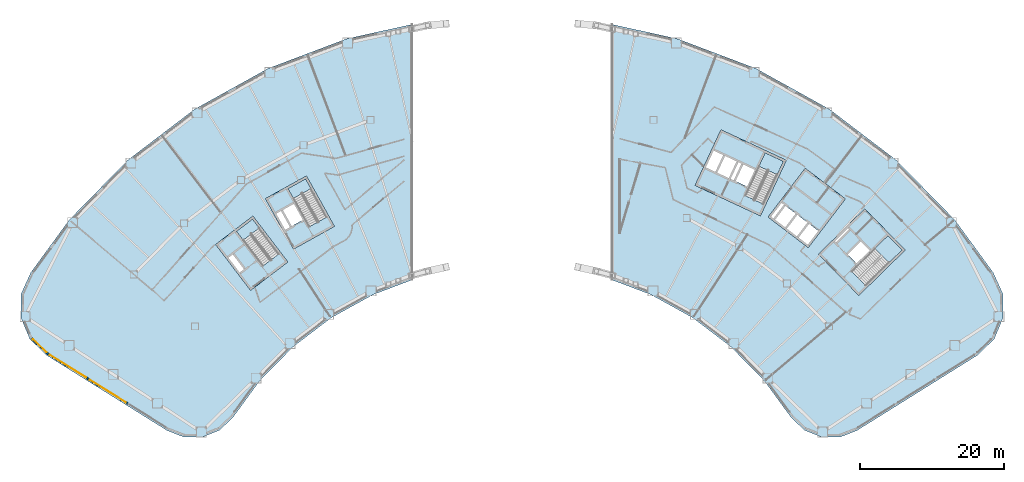
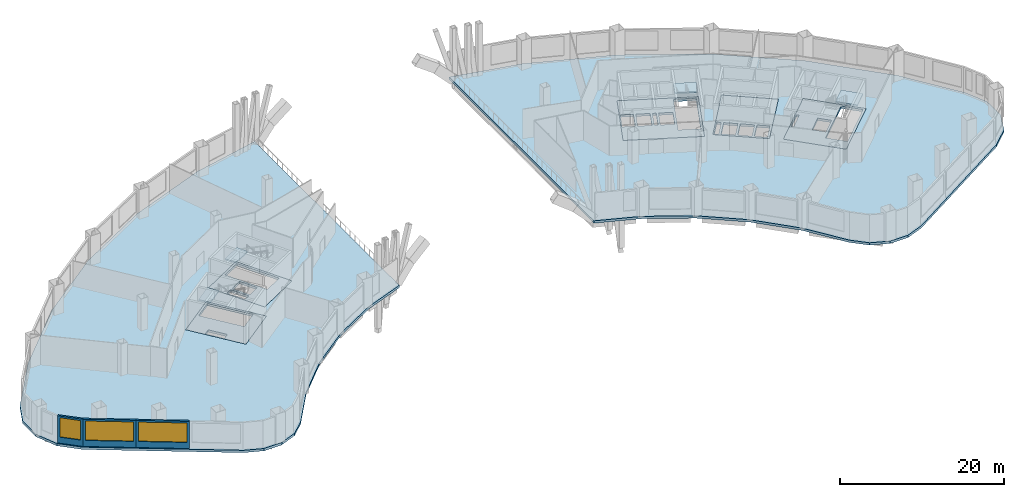
# One storey, part 5 of 14: 11 slabs, 3 walls, 3 windows, 3 openings, 4 elements without a shape of their own.
"""IFC4 building model written with IfcOpenShell, lengths in metres."""

from ifc_helpers import new_model, si_unit, direction, frame, frame_2d, origin, place, context, subcontext, project, spatial, polyline, rectangle, outline, extrude, material, layer, layer_set, type_object, element, fill, aggregate, save


model = new_model("IFC4")

# Units and contexts
model_context = context("Model", 3, precision=1e-05, world=origin(), true_north=direction((0.0, 1.0)))
body_context = subcontext(model_context, "Body", "Model", "MODEL_VIEW")
ifc_project = project(units=[si_unit("LENGTHUNIT", "METRE"), si_unit("AREAUNIT", "SQUARE_METRE"), si_unit("VOLUMEUNIT", "CUBIC_METRE"), si_unit("PLANEANGLEUNIT", "RADIAN"), si_unit("MASSUNIT", "GRAM", prefix="KILO")], contexts=[model_context])

# Site, building, storey
site_placement = place(None, origin())
site = spatial("IfcSite", under=ifc_project, at=site_placement, CompositionType="ELEMENT")
building_placement = place(site_placement, origin())
building = spatial("IfcBuilding", under=site, at=building_placement, Name="Tuul Gate Civic Tower", CompositionType="ELEMENT")
storey_placement = place(building_placement, frame((0.0, 0.0, 17.10009765625)))
storey = spatial("IfcBuildingStorey", under=building, at=storey_placement, Name="Level 03", CompositionType="ELEMENT", Elevation=17.10009765625)

# Slabs
ifc_material_1 = material(Name="Concrete C40/50", Category="concrete")
ifc_layer_1 = layer(ifc_material_1, 0.35009765625)
ifc_layer_set_1 = layer_set([ifc_layer_1], Name="Concrete C40/50")
slab_type_1 = type_object("IfcSlabType", Name="Core floor slab 350", PredefinedType="FLOOR", material=ifc_layer_set_1)
slab_1_placement = place(storey_placement, frame((0.0, 0.0, -0.35009765625)))
element("IfcSlab", 1, at=slab_1_placement, inside=storey, type_object=slab_type_1, Name="FLOOR SLAB", PredefinedType="FLOOR", context=body_context, shape_type="SweptSolid", body=[
    extrude(outline(polyline([(-31.10009765625, -13.7890625), (-35.946044921875, -7.423828125), (-41.11767578125, -11.361572265625), (-36.271484375, -17.726806640625), (-31.10009765625, -13.7890625)]), holes=[polyline([(-37.19287109375, -14.783203125), (-38.737548828125, -12.75439453125), (-39.45361328125, -13.299560546875), (-37.908935546875, -15.328369140625), (-37.19287109375, -14.783203125)]), polyline([(-32.33935546875, -12.65771484375), (-34.56591796875, -14.352783203125), (-38.229736328125, -9.54052734375), (-36.003173828125, -7.845458984375), (-32.33935546875, -12.65771484375)])]), origin(), (0.0, 0.0, 1.0), 0.35009765625),
])
slab_2_placement = place(storey_placement, frame((0.0, 0.0, -0.35009765625)))
element("IfcSlab", 2, at=slab_2_placement, inside=storey, type_object=slab_type_1, Name="FLOOR SLAB", PredefinedType="FLOOR", context=body_context, shape_type="SweptSolid", body=[
    extrude(outline(polyline([(-24.638916015625, -8.846923828125), (-28.51708984375, -1.849853515625), (-34.2021484375, -5.0009765625), (-30.32421875, -11.998046875), (-24.638916015625, -8.846923828125)]), holes=[polyline([(-29.0185546875, -7.958740234375), (-30.254638671875, -5.728515625), (-31.785400390625, -6.576904296875), (-30.54931640625, -8.80712890625), (-29.0185546875, -7.958740234375)]), polyline([(-30.8115234375, -8.95263671875), (-32.047607421875, -6.72216796875), (-32.8349609375, -7.158447265625), (-31.5986328125, -9.388916015625), (-30.8115234375, -8.95263671875)]), polyline([(-25.702392578125, -7.548828125), (-28.14990234375, -8.905517578125), (-31.08203125, -3.615234375), (-28.63427734375, -2.2587890625), (-25.702392578125, -7.548828125)])]), origin(), (0.0, 0.0, 1.0), 0.35009765625),
])
slab_3_placement = place(storey_placement, frame((0.0, 0.0, -0.35009765625)))
element("IfcSlab", 3, at=slab_3_placement, inside=storey, type_object=slab_type_1, Name="FLOOR SLAB", PredefinedType="FLOOR", context=body_context, shape_type="SweptSolid", body=[
    extrude(outline(polyline([(48.117919921875, -18.43310546875), (54.545166015625, -12.1328125), (48.945068359375, -6.419921875), (42.517822265625, -12.719970703125), (48.117919921875, -18.43310546875)]), holes=[polyline([(47.808837890625, -13.974853515625), (49.6298828125, -12.18994140625), (48.40478515625, -10.940185546875), (46.583984375, -12.72509765625), (47.808837890625, -13.974853515625)]), polyline([(44.93896484375, -11.046875), (46.760009765625, -9.261962890625), (46.514892578125, -9.011962890625), (44.69384765625, -10.797119140625), (44.93896484375, -11.046875)]), polyline([(49.086181640625, -17.062744140625), (47.12744140625, -15.064208984375), (52.160888671875, -10.130126953125), (54.11962890625, -12.128662109375), (49.086181640625, -17.062744140625)])]), origin(), (0.0, 0.0, 1.0), 0.35009765625),
])
slab_4_placement = place(storey_placement, frame((0.0, 0.0, -0.35009765625)))
element("IfcSlab", 4, at=slab_4_placement, inside=storey, type_object=slab_type_1, Name="FLOOR SLAB", PredefinedType="FLOOR", context=body_context, shape_type="SweptSolid", body=[
    extrude(outline(polyline([(34.465087890625, -7.385986328125), (38.056884765625, 0.31787109375), (28.993896484375, 4.543701171875), (25.40185546875, -3.159912109375), (34.465087890625, -7.385986328125)]), holes=[polyline([(32.60888671875, -3.32080078125), (33.6865234375, -1.009765625), (32.1005859375, -0.27001953125), (31.02294921875, -2.581298828125), (32.60888671875, -3.32080078125)]), polyline([(30.0712890625, -2.137451171875), (31.14892578125, 0.173583984375), (29.562744140625, 0.9130859375), (28.4853515625, -1.39794921875), (30.0712890625, -2.137451171875)]), polyline([(30.751220703125, -2.454345703125), (31.82861328125, -0.143310546875), (31.4208984375, 0.046875), (30.34326171875, -2.264404296875), (30.751220703125, -2.454345703125)]), polyline([(28.21337890625, -1.27099609375), (29.291015625, 1.0400390625), (27.8408203125, 1.71630859375), (26.76318359375, -0.594970703125), (28.21337890625, -1.27099609375)]), polyline([(34.889892578125, -5.7626953125), (32.353759765625, -4.580078125), (35.120849609375, 1.354736328125), (37.6572265625, 0.17236328125), (34.889892578125, -5.7626953125)])]), origin(), (0.0, 0.0, 1.0), 0.35009765625),
])
ifc_material_2 = material(Name="Concrete C40/50", Category="concrete")
ifc_layer_2 = layer(ifc_material_2, 0.35009765625)
ifc_layer_set_2 = layer_set([ifc_layer_2], Name="Concrete C40/50")
slab_type_2 = type_object("IfcSlabType", Name="Core floor slab 350 non-bearing", PredefinedType="FLOOR", material=ifc_layer_set_2)
slab_5_placement = place(storey_placement, frame((0.0, 0.0, -0.35009765625)))
element("IfcSlab", 5, at=slab_5_placement, inside=storey, type_object=slab_type_2, Name="FLOOR SLAB", PredefinedType="FLOOR", context=body_context, shape_type="SweptSolid", body=[
    extrude(outline(polyline([(41.10107421875, -11.797119140625), (46.25, -5.033935546875), (40.680908203125, -0.79296875), (35.531982421875, -7.555908203125), (41.10107421875, -11.797119140625)]), holes=[polyline([(41.044189453125, -11.37646484375), (42.497802734375, -9.467041015625), (41.22509765625, -8.49755859375), (39.77099609375, -10.4072265625), (41.044189453125, -11.37646484375)]), polyline([(39.532470703125, -10.225341796875), (40.986328125, -8.31591796875), (39.593994140625, -7.255615234375), (38.14013671875, -9.165283203125), (39.532470703125, -10.225341796875)]), polyline([(37.901611328125, -8.9833984375), (39.35546875, -7.073974609375), (37.963134765625, -6.013671875), (36.50927734375, -7.923095703125), (37.901611328125, -8.9833984375)]), polyline([(36.1796875, -7.860595703125), (37.724609375, -5.831787109375), (37.286865234375, -5.49853515625), (35.7421875, -7.527587890625), (36.1796875, -7.860595703125)])]), origin(), (0.0, 0.0, 1.0), 0.35009765625),
])

# Stair, slab
ifc_material_3 = material(Name="Concrete C40/50", Category="concrete")
stair_type = type_object("IfcStairType", Name="Exit stair", PredefinedType="HALF_TURN_STAIR", material=ifc_material_3)
stair_1_placement = place(storey_placement, origin())
stair_1 = element("IfcStair", 6, at=stair_1_placement, inside=storey, type_object=stair_type, Name="Level 03 ST-1", PredefinedType="HALF_TURN_STAIR")
ifc_material_4 = material(Name="Concrete C40/50", Category="concrete")
ifc_layer_3 = layer(ifc_material_4, 0.199951171875)
ifc_layer_set_3 = layer_set([ifc_layer_3], Name="Concrete C40/50")
slab_type_3 = type_object("IfcSlabType", Name="Exit stair landing", PredefinedType="LANDING", material=ifc_layer_set_3)
slab_6_placement = place(storey_placement, frame((0.0, 0.0, 2.199951171875)))
slab_6 = element("IfcSlab", 7, at=slab_6_placement, type_object=slab_type_3, Name="ST-1 landing 1", PredefinedType="LANDING", context=body_context, shape_type="SweptSolid", body=[
    extrude(outline(polyline([(-35.06298828125, -9.07763671875), (-37.2919921875, -10.774658203125), (-38.23193359375, -9.540283203125), (-36.0029296875, -7.843017578125), (-35.06298828125, -9.07763671875)])), origin(), (0.0, 0.0, 1.0), 0.199951171875),
])
aggregate(stair_1, [slab_6])

stair_2_placement = place(storey_placement, origin())
stair_2 = element("IfcStair", 8, at=stair_2_placement, inside=storey, type_object=stair_type, Name="Level 03 ST-2", PredefinedType="HALF_TURN_STAIR")
slab_7_placement = place(storey_placement, frame((0.0, 0.0, 2.199951171875)))
slab_7 = element("IfcSlab", 9, at=slab_7_placement, type_object=slab_type_3, Name="ST-2 landing 1", PredefinedType="LANDING", context=body_context, shape_type="SweptSolid", body=[
    extrude(outline(polyline([(-27.881591796875, -3.613525390625), (-30.33203125, -4.9716796875), (-31.084228515625, -3.61474609375), (-28.6337890625, -2.256591796875), (-27.881591796875, -3.613525390625)])), origin(), (0.0, 0.0, 1.0), 0.199951171875),
])
aggregate(stair_2, [slab_7])

stair_3_placement = place(storey_placement, origin())
stair_3 = element("IfcStair", 10, at=stair_3_placement, inside=storey, type_object=stair_type, Name="Level 03 ST-3", PredefinedType="HALF_TURN_STAIR")
slab_8_placement = place(storey_placement, frame((0.0, 0.0, 2.199951171875)))
slab_8 = element("IfcSlab", 11, at=slab_8_placement, type_object=slab_type_3, Name="ST-3 landing 1", PredefinedType="LANDING", context=body_context, shape_type="SweptSolid", body=[
    extrude(outline(polyline([(52.2998046875, -13.914794921875), (50.338623046875, -11.9140625), (52.160888671875, -10.1279296875), (54.1220703125, -12.128662109375), (52.2998046875, -13.914794921875)])), origin(), (0.0, 0.0, 1.0), 0.199951171875),
])
aggregate(stair_3, [slab_8])

stair_4_placement = place(storey_placement, origin())
stair_4 = element("IfcStair", 12, at=stair_4_placement, inside=storey, type_object=stair_type, Name="Level 03 ST-4", PredefinedType="HALF_TURN_STAIR")
slab_9_placement = place(storey_placement, frame((0.0, 0.0, 2.199951171875)))
slab_9 = element("IfcSlab", 13, at=slab_9_placement, type_object=slab_type_3, Name="ST-4 landing 1", PredefinedType="LANDING", context=body_context, shape_type="SweptSolid", body=[
    extrude(outline(polyline([(36.792236328125, -1.686279296875), (34.253173828125, -0.50244140625), (35.1201171875, 1.35693359375), (37.659423828125, 0.173095703125), (36.792236328125, -1.686279296875)])), origin(), (0.0, 0.0, 1.0), 0.199951171875),
])
aggregate(stair_4, [slab_9])

# Slabs
ifc_material_5 = material(Name="Concrete C35/45", Category="concrete")
ifc_layer_4 = layer(ifc_material_5, 0.35009765625)
ifc_layer_set_4 = layer_set([ifc_layer_4], Name="Concrete C35/45")
slab_type_4 = type_object("IfcSlabType", Name="STR-FLOOR-SLAB-350", PredefinedType="FLOOR", material=ifc_layer_set_4)
slab_10_placement = place(storey_placement, frame((0.0, 0.0, -0.35009765625)))
element("IfcSlab", 14, at=slab_10_placement, inside=storey, type_object=slab_type_4, Name="Level 03/slab/W", PredefinedType="FLOOR", context=body_context, shape_type="SweptSolid", body=[
    extrude(outline(polyline([(-25.10888671875, -21.5458984375), (-19.304931640625, -18.3291015625), (-13.739013671875, -16.22412109375), (-13.739013671875, 19.2041015625), (-22.964111328125, 17.1708984375), (-33.844970703125, 13.056884765625), (-44.02001953125, 7.4169921875), (-53.27587890625, 0.368896484375), (-61.419921875, -7.93896484375), (-66.757080078125, -15.24609375), (-68.10302734375, -18.218017578125), (-68.15087890625, -21.48095703125), (-66.89208984375, -24.490966796875), (-64.535888671875, -26.7490234375), (-47.85888671875, -37.1689453125), (-45.4990234375, -38.087890625), (-42.967041015625, -38.0791015625), (-40.613037109375, -37.14404296875), (-38.763916015625, -35.4130859375), (-35.032958984375, -30.304931640625), (-30.387939453125, -25.56591796875), (-25.10888671875, -21.5458984375)]), holes=[polyline([(-31.10009765625, -13.7890625), (-36.27197265625, -17.72705078125), (-41.117919921875, -11.362060546875), (-35.946044921875, -7.424072265625), (-31.10009765625, -13.7890625)]), polyline([(-30.323974609375, -11.998046875), (-34.201904296875, -5.0009765625), (-28.51708984375, -1.85009765625), (-24.638916015625, -8.846923828125), (-30.323974609375, -11.998046875)])]), origin(), (0.0, 0.0, 1.0), 0.35009765625),
])
slab_11_placement = place(storey_placement, frame((0.0, 0.0, -0.35009765625)))
element("IfcSlab", 15, at=slab_11_placement, inside=storey, type_object=slab_type_4, Name="Level 03/slab/E", PredefinedType="FLOOR", context=body_context, shape_type="SweptSolid", body=[
    extrude(outline(polyline([(33.844970703125, 13.056884765625), (22.964111328125, 17.1708984375), (13.739013671875, 19.2041015625), (13.739013671875, -16.22412109375), (19.304931640625, -18.3291015625), (25.10888671875, -21.5458984375), (30.387939453125, -25.56591796875), (35.032958984375, -30.304931640625), (38.763916015625, -35.4130859375), (40.613037109375, -37.14404296875), (42.967041015625, -38.0791015625), (45.4990234375, -38.087890625), (47.85888671875, -37.1689453125), (64.535888671875, -26.7490234375), (66.89208984375, -24.490966796875), (68.15087890625, -21.48095703125), (68.10302734375, -18.218017578125), (66.757080078125, -15.24609375), (61.419921875, -7.93896484375), (53.27587890625, 0.368896484375), (44.02001953125, 7.4169921875), (33.844970703125, 13.056884765625)]), holes=[polyline([(42.51806640625, -12.719970703125), (48.945068359375, -6.419921875), (54.544921875, -12.133056640625), (48.117919921875, -18.43310546875), (42.51806640625, -12.719970703125)]), polyline([(41.10107421875, -11.797119140625), (35.531982421875, -7.555908203125), (40.680908203125, -0.79296875), (46.25, -5.033935546875), (41.10107421875, -11.797119140625)]), polyline([(25.402099609375, -3.159912109375), (28.993896484375, 4.5439453125), (38.056884765625, 0.318115234375), (34.465087890625, -7.385986328125), (25.402099609375, -3.159912109375)])]), origin(), (0.0, 0.0, 1.0), 0.35009765625),
])

# Wall, opening, window
ifc_material_6 = material(Name="Precast concrete C40/50", Category="concrete")
ifc_layer_5 = layer(ifc_material_6, 0.25)
ifc_layer_set_5 = layer_set([ifc_layer_5], Name="Precast concrete C40/50")
wall_type = type_object("IfcWallType", Name="External wall", PredefinedType="STANDARD", material=ifc_layer_set_5)
wall_1_placement = place(storey_placement, frame((-66.6826171875, -24.316650390625, 0.0), z_axis=(0.0, 0.0, 1.0), x_axis=(0.722378510216, -0.69149785826, 0.0)))
wall_1 = element("IfcWall", 16, at=wall_1_placement, inside=storey, type_object=wall_type, Name="External wall", PredefinedType="STANDARD", context=body_context, shape_type="SweptSolid", body=[
    extrude(rectangle(XDim=3.201904296875, YDim=0.25, at=frame_2d((1.60107421875, 0.0))), origin(), (0.0, 0.0, 1.0), 4.0498046875),
])
opening_1_placement = place(wall_1_placement, frame((0.301025390625, 0.0, 0.89990234375)))
opening_1 = element("IfcOpeningElement", 17, at=opening_1_placement, cuts=wall_1, Name="Opening W8", PredefinedType="OPENING", context=body_context, shape_type="SweptSolid", body=[
    extrude(rectangle(XDim=2.60009765625, YDim=2.89990234375, at=frame_2d((1.300048828125, 1.449951171875))), frame((0.0, 0.135009765625, 0.0), z_axis=(0.0, -1.0, 0.0), x_axis=(1.0, 0.0, 0.0)), (0.0, 0.0, 1.0), 0.27001953125),
])
ifc_material_7 = material(Name="Glass", Category="glass")
window_type_1 = type_object("IfcWindowType", Name="Window W8 2600 x 2900", PartitioningType="SINGLE_PANEL", PredefinedType="WINDOW", material=ifc_material_7)
window_1_placement = place(opening_1_placement, origin())
window_1 = element("IfcWindow", 18, at=window_1_placement, inside=storey, type_object=window_type_1, Name="Window", OverallHeight=2.89990234375, OverallWidth=2.60009765625, PartitioningType="SINGLE_PANEL", PredefinedType="WINDOW", context=body_context, shape_type="SweptSolid", body=[
    extrude(rectangle(XDim=2.60009765625, YDim=2.89990234375, at=frame_2d((1.300048828125, 1.449951171875))), frame((0.0, 0.030029296875, 0.0), z_axis=(0.0, -1.0, 0.0), x_axis=(1.0, 0.0, 0.0)), (0.0, 0.0, 1.0), 0.06005859375),
])
fill(opening_1, window_1)

wall_2_placement = place(storey_placement, frame((-64.3896484375, -26.514892578125, 0.0), z_axis=(0.0, 0.0, 1.0), x_axis=(0.84801510827, -0.529972052232, 0.0)))
wall_2 = element("IfcWall", 19, at=wall_2_placement, inside=storey, type_object=wall_type, Name="External wall", PredefinedType="STANDARD", context=body_context, shape_type="SweptSolid", body=[
    extrude(rectangle(XDim=6.529541015625, YDim=0.25, at=frame_2d((3.2646484375, 0.0))), origin(), (0.0, 0.0, 1.0), 4.0498046875),
])
opening_2_placement = place(wall_2_placement, frame((0.314697265625, 0.0, 0.89990234375)))
opening_2 = element("IfcOpeningElement", 20, at=opening_2_placement, cuts=wall_2, Name="Opening W14", PredefinedType="OPENING", context=body_context, shape_type="SweptSolid", body=[
    extrude(rectangle(XDim=5.89990234375, YDim=2.89990234375, at=frame_2d((2.949951171875, 1.449951171875))), frame((0.0, 0.135009765625, 0.0), z_axis=(0.0, -1.0, 0.0), x_axis=(1.0, 0.0, 0.0)), (0.0, 0.0, 1.0), 0.27001953125),
])
ifc_material_8 = material(Name="Glass", Category="glass")
window_type_2 = type_object("IfcWindowType", Name="Window W14 5900 x 2900", PartitioningType="SINGLE_PANEL", PredefinedType="WINDOW", material=ifc_material_8)
window_2_placement = place(opening_2_placement, origin())
window_2 = element("IfcWindow", 21, at=window_2_placement, inside=storey, type_object=window_type_2, Name="Window", OverallHeight=2.89990234375, OverallWidth=5.89990234375, PartitioningType="SINGLE_PANEL", PredefinedType="WINDOW", context=body_context, shape_type="SweptSolid", body=[
    extrude(rectangle(XDim=5.89990234375, YDim=2.89990234375, at=frame_2d((2.949951171875, 1.449951171875))), frame((0.0, 0.030029296875, 0.0), z_axis=(0.0, -1.0, 0.0), x_axis=(1.0, 0.0, 0.0)), (0.0, 0.0, 1.0), 0.06005859375),
])
fill(opening_2, window_2)

wall_3_placement = place(storey_placement, frame((-58.8525390625, -29.975341796875, 0.0), z_axis=(0.0, 0.0, 1.0), x_axis=(0.848042412856, -0.529928359306, 0.0)))
wall_3 = element("IfcWall", 22, at=wall_3_placement, inside=storey, type_object=wall_type, Name="External wall", PredefinedType="STANDARD", context=body_context, shape_type="SweptSolid", body=[
    extrude(rectangle(XDim=6.529541015625, YDim=0.25, at=frame_2d((3.2646484375, 0.0))), origin(), (0.0, 0.0, 1.0), 4.0498046875),
])
opening_3_placement = place(wall_3_placement, frame((0.314697265625, 0.0, 0.89990234375)))
opening_3 = element("IfcOpeningElement", 23, at=opening_3_placement, cuts=wall_3, Name="Opening W14", PredefinedType="OPENING", context=body_context, shape_type="SweptSolid", body=[
    extrude(rectangle(XDim=5.89990234375, YDim=2.89990234375, at=frame_2d((2.949951171875, 1.449951171875))), frame((0.0, 0.135009765625, 0.0), z_axis=(0.0, -1.0, 0.0), x_axis=(1.0, 0.0, 0.0)), (0.0, 0.0, 1.0), 0.27001953125),
])
window_3_placement = place(opening_3_placement, origin())
window_3 = element("IfcWindow", 24, at=window_3_placement, inside=storey, type_object=window_type_2, Name="Window", OverallHeight=2.89990234375, OverallWidth=5.89990234375, PartitioningType="SINGLE_PANEL", PredefinedType="WINDOW", context=body_context, shape_type="SweptSolid", body=[
    extrude(rectangle(XDim=5.89990234375, YDim=2.89990234375, at=frame_2d((2.949951171875, 1.449951171875))), frame((0.0, 0.030029296875, 0.0), z_axis=(0.0, -1.0, 0.0), x_axis=(1.0, 0.0, 0.0)), (0.0, 0.0, 1.0), 0.06005859375),
])
fill(opening_3, window_3)

save(model, "model.ifc")
